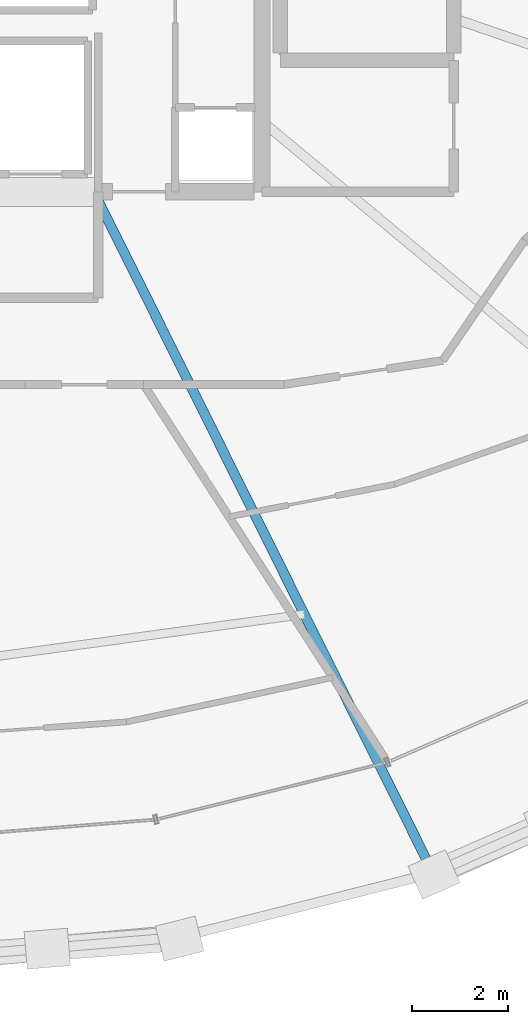
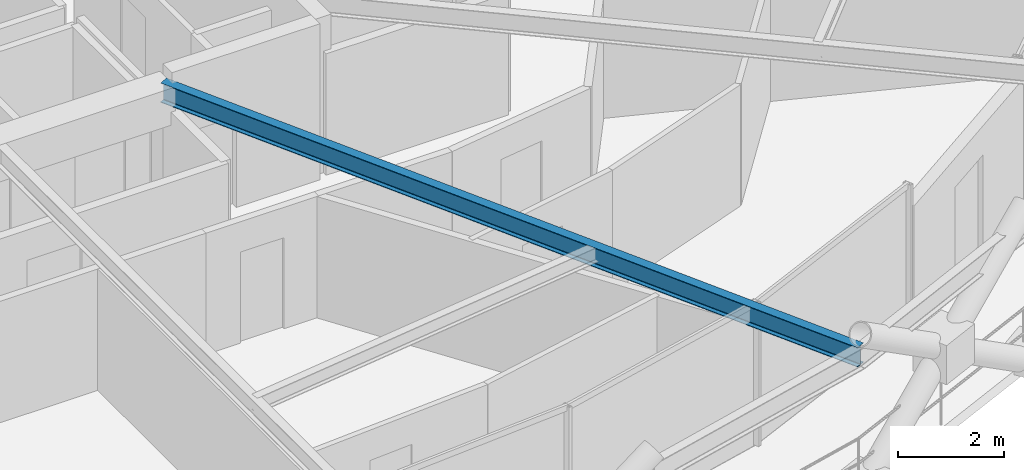
# One storey, part 6 of 19: 1 beam.
"""IFC4 building model written with IfcOpenShell, lengths in metres."""

from ifc_helpers import new_model, si_unit, direction, frame, origin, origin_2d, place, context, subcontext, project, spatial, i_section, extrude, material, material_profile, profile_set, type_object, element, save


model = new_model("IFC4")

# Units and contexts
model_context = context("Model", 3, precision=1e-05, world=origin(), true_north=direction((0.0, 1.0)))
body_context = subcontext(model_context, "Body", "Model", "MODEL_VIEW")
ifc_project = project(units=[si_unit("LENGTHUNIT", "METRE"), si_unit("AREAUNIT", "SQUARE_METRE"), si_unit("VOLUMEUNIT", "CUBIC_METRE"), si_unit("PLANEANGLEUNIT", "RADIAN"), si_unit("MASSUNIT", "GRAM", prefix="KILO")], contexts=[model_context])

# Site, building, storey
site_placement = place(None, origin())
site = spatial("IfcSite", under=ifc_project, at=site_placement, CompositionType="ELEMENT")
building_placement = place(site_placement, origin())
building = spatial("IfcBuilding", under=site, at=building_placement, Name="Veldorina Hangang Commons", CompositionType="ELEMENT")
storey_placement = place(building_placement, frame((0.0, 0.0, 164.0)))
storey = spatial("IfcBuildingStorey", under=building, at=storey_placement, Name="L42", CompositionType="ELEMENT", Elevation=164.0)

# Beam
ifc_material = material(Name="Steel SM355-TMC", Category="steel")
ifc_material_profile = material_profile(ifc_material, i_section(OverallWidth=0.199951171875, OverallDepth=0.449951171875, WebThickness=0.009033203125, FlangeThickness=0.013916015625, FilletRadius=0.01611328125, at=origin_2d()), Name="H-450x200x9x14")
ifc_profile_set = profile_set([ifc_material_profile], Name="Steel SM355-TMC")
beam_type = type_object("IfcBeamType", Name="BM-FG450", PredefinedType="BEAM", material=ifc_profile_set)
beam_placement = place(storey_placement, frame((35.71044921875, 16.550048828125, 3.125), z_axis=(0.445822322888, -0.895121475787, 0.0), x_axis=(0.895121475787, 0.445822322888, 0.0)))
element("IfcBeam", 1, at=beam_placement, inside=storey, type_object=beam_type, Name="L42 radial floor girder 14", PredefinedType="BEAM", context=body_context, shape_type="SweptSolid", body=[
    extrude(i_section(OverallWidth=0.199951171875, OverallDepth=0.449951171875, WebThickness=0.009033203125, FlangeThickness=0.013916015625, FilletRadius=0.01611328125, at=origin_2d()), origin(), (0.0, 0.0, 1.0), 15.79931640625),
])

save(model, "model.ifc")
